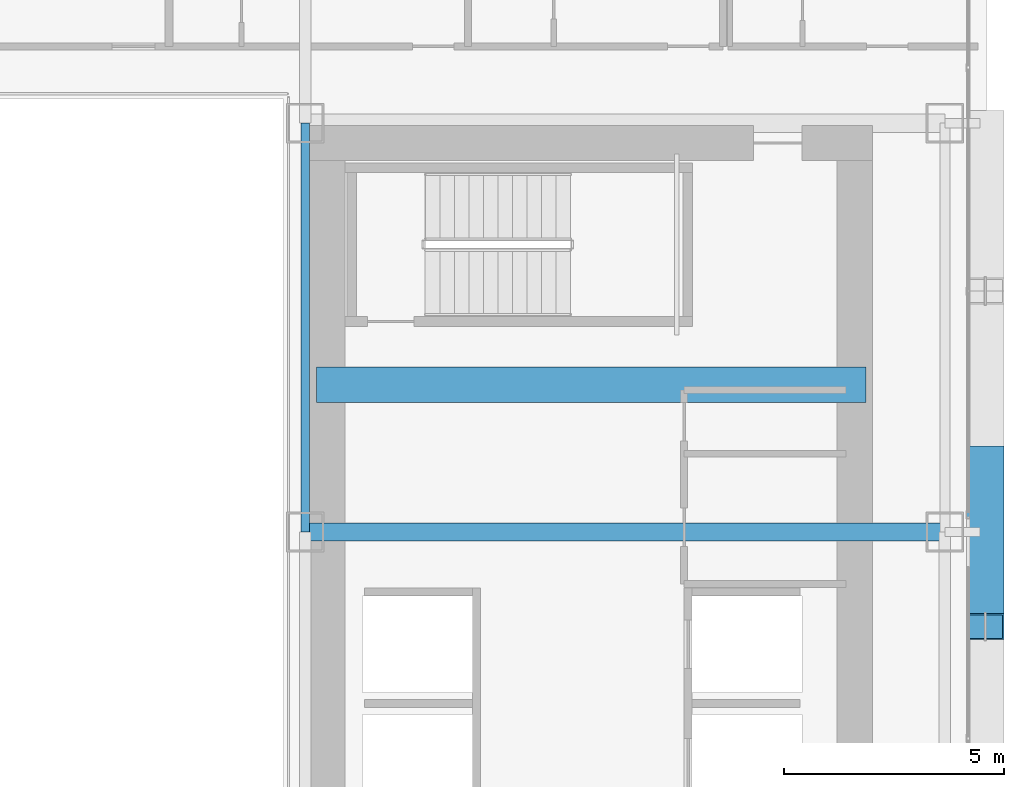
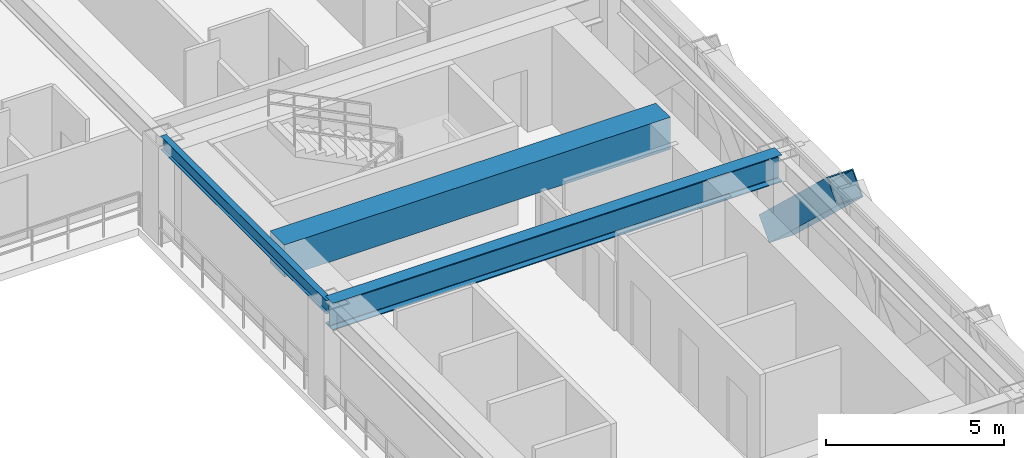
# One storey, part 14 of 35: 3 beams, 1 member.
"""IFC4 building model written with IfcOpenShell, lengths in metres."""

import ifcopenshell
import ifcopenshell.guid

model = None  # the IFC model being written
_history = None  # IfcOwnerHistory: only IFC2X3 demands one
_inside = {}  # id of a spatial element -> (the spatial element, [elements in it])
_under = {}  # id of a project, library or spatial element -> (it, [spatial elements below it])
_declared = {}  # id of a project -> (the project, [libraries it declares])
_typed = {}  # id of a type object -> (the type object, [elements of that type])
_made_of = {}  # id of a material, layer set ... -> (it, [elements and type objects made of it])


def new_model(schema):
    """Start an empty IFC model of exactly this schema.

    Asked for "IFC4X3", IfcOpenShell would pick the latest addendum, in which some entities
    have other attributes; the version numbers below select the first issue.
    IFC2X3 requires an IfcOwnerHistory on every rooted entity: one is made here for all.
    """
    global model, _history
    if schema == "IFC4X3":
        model = ifcopenshell.file(schema_version=(4, 3, 0, 0))
    else:
        model = ifcopenshell.file(schema=schema)
    _inside.clear()
    _under.clear()
    _declared.clear()
    _typed.clear()
    _made_of.clear()
    _history = None
    if model.schema == "IFC2X3":
        org = make("IfcOrganization", Name="unknown")
        user = make(
            "IfcPersonAndOrganization",
            ThePerson=make("IfcPerson", FamilyName="unknown"),
            TheOrganization=org,
        )
        app = make(
            "IfcApplication",
            ApplicationDeveloper=org,
            Version="unknown",
            ApplicationFullName="unknown",
            ApplicationIdentifier="unknown",
        )
        _history = make(
            "IfcOwnerHistory",
            OwningUser=user,
            OwningApplication=app,
            ChangeAction="ADDED",
            CreationDate=0,
        )
    return model


def make(cls, **values):
    """One entity of the class cls with the attributes given. An attribute that is None is left unset."""
    return model.create_entity(
        cls, **{name: value for name, value in values.items() if value is not None}
    )


def rooted(cls, **values):
    """An entity with a GlobalId (a new one), such as an element, a storey or a relation."""
    return make(cls, GlobalId=ifcopenshell.guid.new(), OwnerHistory=_history, **values)


def si_unit(unit_type, name, prefix=None):
    """IfcSIUnit, for example si_unit("LENGTHUNIT", "METRE", prefix="MILLI")."""
    return make("IfcSIUnit", UnitType=unit_type, Prefix=prefix, Name=name)


def assignment(units):
    """IfcUnitAssignment: the units of a project."""
    return None if units is None else make("IfcUnitAssignment", Units=units)


def point(xyz):
    """IfcCartesianPoint."""
    return None if xyz is None else make("IfcCartesianPoint", Coordinates=xyz)


def direction(xyz):
    """IfcDirection."""
    return None if xyz is None else make("IfcDirection", DirectionRatios=xyz)


def frame(location, z_axis=None, x_axis=None):
    """IfcAxis2Placement3D, a coordinate frame: its origin and axes. An axis left out is left unset."""
    return make(
        "IfcAxis2Placement3D",
        Location=point(location),
        Axis=direction(z_axis),
        RefDirection=direction(x_axis),
    )


def frame_2d(location, x_axis=None):
    """IfcAxis2Placement2D, a coordinate frame in the plane: its origin and x axis."""
    return make(
        "IfcAxis2Placement2D", Location=point(location), RefDirection=direction(x_axis)
    )


def origin():
    """The frame at (0, 0, 0) with its axes left unset."""
    return frame((0.0, 0.0, 0.0))


def origin_2d():
    """The frame at (0, 0) in the plane with its x axis left unset."""
    return frame_2d((0.0, 0.0))


def place(relative_to, where):
    """IfcLocalPlacement: puts the frame where relative to a parent placement (None: the world)."""
    return make(
        "IfcLocalPlacement", PlacementRelTo=relative_to, RelativePlacement=where
    )


def context(
    kind, dimensions, precision=None, world=None, true_north=None, identifier=None
):
    """IfcGeometricRepresentationContext, for example the 3D "Model" context."""
    return make(
        "IfcGeometricRepresentationContext",
        ContextIdentifier=identifier,
        ContextType=kind,
        CoordinateSpaceDimension=dimensions,
        Precision=precision,
        WorldCoordinateSystem=world,
        TrueNorth=true_north,
    )


def subcontext(parent, identifier, kind, view, scale=None):
    """IfcGeometricRepresentationSubContext, for example "Body" below "Model"."""
    return make(
        "IfcGeometricRepresentationSubContext",
        ContextIdentifier=identifier,
        ContextType=kind,
        ParentContext=parent,
        TargetScale=scale,
        TargetView=view,
    )


def project(units=None, contexts=None):
    """IfcProject with its units and contexts."""
    return rooted(
        "IfcProject",
        Name="project",
        RepresentationContexts=contexts,
        UnitsInContext=assignment(units),
    )


def spatial(cls, under=None, at=None, **own):
    """A site, building, storey or space (cls), placed at a placement, below another one or the project."""
    s = rooted(cls, ObjectPlacement=at, **own)
    if under is not None:
        _under.setdefault(under.id(), (under, []))[1].append(s)
    return s


def profile(cls, at=None, kind="AREA", **sizes):
    """A parametric profile (cls). Its sizes go by their IFC names, for example OverallWidth=200.0."""
    return make(cls, ProfileType=kind, Position=at, **sizes)


def rectangle(**sizes):
    """IfcRectangleProfileDef."""
    return profile("IfcRectangleProfileDef", **sizes)


def hollow_rectangle(**sizes):
    """IfcRectangleHollowProfileDef."""
    return profile("IfcRectangleHollowProfileDef", **sizes)


def i_section(**sizes):
    """IfcIShapeProfileDef."""
    return profile("IfcIShapeProfileDef", **sizes)


def extrude(swept, where, along, depth):
    """IfcExtrudedAreaSolid: the profile swept, set in the frame where, extruded along a direction by depth."""
    return make(
        "IfcExtrudedAreaSolid",
        SweptArea=swept,
        Position=where,
        ExtrudedDirection=direction(along),
        Depth=depth,
    )


def shape(context_of_items, identifier, shape_type, items):
    """IfcShapeRepresentation: the items that make up one representation, for example the "Body"."""
    return make(
        "IfcShapeRepresentation",
        ContextOfItems=context_of_items,
        RepresentationIdentifier=identifier,
        RepresentationType=shape_type,
        Items=items,
    )


def source(mapping_origin, context_of_items, identifier, shape_type, items):
    """IfcRepresentationMap: a shape defined once, which mapped items show again and again."""
    return make(
        "IfcRepresentationMap",
        MappingOrigin=mapping_origin,
        MappedRepresentation=shape(context_of_items, identifier, shape_type, items),
    )


def transform(
    local_origin,
    x_axis=None,
    y_axis=None,
    z_axis=None,
    scale=None,
    scale2=None,
    scale3=None,
    uniform=True,
):
    """IfcCartesianTransformationOperator3D, or its non-uniform kind. x_axis, y_axis, z_axis: its Axis1, 2, 3."""
    if uniform:
        return make(
            "IfcCartesianTransformationOperator3D",
            Axis1=direction(x_axis),
            Axis2=direction(y_axis),
            LocalOrigin=point(local_origin),
            Scale=scale,
            Axis3=direction(z_axis),
        )
    return make(
        "IfcCartesianTransformationOperator3DnonUniform",
        Axis1=direction(x_axis),
        Axis2=direction(y_axis),
        LocalOrigin=point(local_origin),
        Scale=scale,
        Axis3=direction(z_axis),
        Scale2=scale2,
        Scale3=scale3,
    )


def mapped(mapping_source, mapping_target):
    """IfcMappedItem: shows the shape of a source again, moved by a transform."""
    return make(
        "IfcMappedItem", MappingSource=mapping_source, MappingTarget=mapping_target
    )


def material(Name=None, Category=None):
    """IfcMaterial."""
    return make("IfcMaterial", Name=Name, Category=Category)


def material_profile(
    of_material, cross_section, Name=None, Category=None, Priority=None
):
    """IfcMaterialProfile: a cross section and its material."""
    return make(
        "IfcMaterialProfile",
        Name=Name,
        Material=of_material,
        Profile=cross_section,
        Priority=Priority,
        Category=Category,
    )


def profile_set(profiles, Name=None, composite=None):
    """IfcMaterialProfileSet."""
    return make(
        "IfcMaterialProfileSet",
        Name=Name,
        MaterialProfiles=profiles,
        CompositeProfile=composite,
    )


def made_of(thing, what):
    """Note that an element or type object is made of a material, layer set ...; save() writes the relation."""
    if what is not None:
        _made_of.setdefault(what.id(), (what, []))[1].append(thing)
    return thing


def type_object(cls, material=None, **own):
    """A type object (cls), such as IfcWallType, which elements share."""
    return made_of(rooted(cls, **own), material)


def element(
    cls,
    number,
    at=None,
    inside=None,
    cuts=None,
    type_object=None,
    material=None,
    context=None,
    identifier="Body",
    shape_type=None,
    held_by="IfcProductDefinitionShape",
    body=None,
    shapes=None,
    **own,
):
    """One element of the class cls, such as IfcWall. Its Tag is "e" and its number.

    at: its placement. inside: the storey or other place that contains it. cuts: it is an
    opening in that element (IfcRelVoidsElement). A single representation is given by context,
    identifier, shape_type and body (its items); several are given by shapes. held_by: the class
    of the entity that holds the representations. save() writes the other relations.
    """
    e = rooted(cls, Tag="e%d" % number, ObjectPlacement=at, **own)
    if body is not None:
        shapes = [shape(context, identifier, shape_type, body)]
    if shapes is not None:
        e.Representation = make(held_by, Representations=shapes)
    if inside is not None:
        _inside.setdefault(inside.id(), (inside, []))[1].append(e)
    if cuts is not None:
        rooted(
            "IfcRelVoidsElement", RelatingBuildingElement=cuts, RelatedOpeningElement=e
        )
    if type_object is not None:
        _typed.setdefault(type_object.id(), (type_object, []))[1].append(e)
    return made_of(e, material)


def aggregate(whole, parts):
    """IfcRelAggregates: a whole, such as a stair, and the parts it consists of."""
    return rooted("IfcRelAggregates", RelatingObject=whole, RelatedObjects=parts)


def save(model, path):
    """Write the relations noted so far, then the file.

    IfcRelAggregates (storeys below a building ...), IfcRelContainedInSpatialStructure (elements
    in a storey), IfcRelDefinesByType, IfcRelAssociatesMaterial and IfcRelDeclares: one each for
    every whole, place, type object, material and project.
    """
    for whole, parts in _under.values():
        aggregate(whole, parts)
    for where, things in _inside.values():
        rooted(
            "IfcRelContainedInSpatialStructure",
            RelatedElements=things,
            RelatingStructure=where,
        )
    for kind, things in _typed.values():
        rooted("IfcRelDefinesByType", RelatedObjects=things, RelatingType=kind)
    for what, things in _made_of.values():
        rooted("IfcRelAssociatesMaterial", RelatedObjects=things, RelatingMaterial=what)
    for by, libraries in _declared.values():
        rooted("IfcRelDeclares", RelatingContext=by, RelatedDefinitions=libraries)
    model.write(path)


model = new_model("IFC4")

# Units and contexts
model_context = context("Model", 3, precision=1e-05, world=origin(), true_north=direction((0.0, 1.0)))
body_context = subcontext(model_context, "Body", "Model", "MODEL_VIEW")
ifc_project = project(units=[si_unit("LENGTHUNIT", "METRE"), si_unit("AREAUNIT", "SQUARE_METRE"), si_unit("VOLUMEUNIT", "CUBIC_METRE"), si_unit("PLANEANGLEUNIT", "RADIAN"), si_unit("MASSUNIT", "GRAM", prefix="KILO")], contexts=[model_context])

# Site, building, storey
site_placement = place(None, origin())
site = spatial("IfcSite", under=ifc_project, at=site_placement, CompositionType="ELEMENT")
building_placement = place(site_placement, origin())
building = spatial("IfcBuilding", under=site, at=building_placement, Name="Ocotamira Hotel", CompositionType="ELEMENT")
storey_placement = place(building_placement, frame((0.0, 0.0, 63.60009765625)))
storey = spatial("IfcBuildingStorey", under=building, at=storey_placement, Name="L15", CompositionType="ELEMENT", Elevation=63.60009765625)

# Beams
ifc_material_1 = material(Name="Concrete C60/75", Category="concrete")
ifc_material_profile_1 = material_profile(ifc_material_1, rectangle(XDim=0.800048828125, YDim=1.10009765625, at=origin_2d()), Name="RC800X1100")
ifc_profile_set_1 = profile_set([ifc_material_profile_1], Name="Concrete C60/75")
beam_type_1 = type_object("IfcBeamType", Name="BM-LINK-RC800", PredefinedType="LINTEL", material=ifc_profile_set_1)
shared_shape_1 = source(origin(), body_context, "Body", "SweptSolid", [
    extrude(rectangle(XDim=0.800048828125, YDim=1.10009765625, at=origin_2d()), origin(), (0.0, 0.0, 1.0), 12.5),
])
beam_1_placement = place(storey_placement, frame((40.75, 31.5, 2.7998046875), z_axis=(1.0, 0.0, 0.0), x_axis=(0.0, 1.0, 0.0)))
element("IfcBeam", 1, at=beam_1_placement, inside=storey, type_object=beam_type_1, Name="L15 East Core Coupling Beam", PredefinedType="LINTEL", context=body_context, shape_type="MappedRepresentation", body=[
    mapped(shared_shape_1, transform((0.0, 0.0, 0.0), scale=1.0)),
])
ifc_material_2 = material(Name="Steel ASTM A992 Grade 50", Category="steel")
ifc_material_profile_2 = material_profile(ifc_material_2, i_section(OverallWidth=0.41796875, OverallDepth=0.927001953125, WebThickness=0.019287109375, FlangeThickness=0.031982421875, FilletRadius=0.02392578125, at=origin_2d()), Name="W36X231")
ifc_profile_set_2 = profile_set([ifc_material_profile_2], Name="Steel ASTM A992 Grade 50")
beam_type_2 = type_object("IfcBeamType", Name="BM-GIRD-W36X231", PredefinedType="BEAM", material=ifc_profile_set_2)
shared_shape_2 = source(origin(), body_context, "Body", "SweptSolid", [
    extrude(i_section(OverallWidth=0.41796875, OverallDepth=0.927001953125, WebThickness=0.019287109375, FlangeThickness=0.031982421875, FilletRadius=0.02392578125, at=origin_2d()), origin(), (0.0, 0.0, 1.0), 14.550048828125),
])
beam_2_placement = place(storey_placement, frame((40.5, 28.14990234375, 2.886474609375), z_axis=(1.0, 0.0, 0.0), x_axis=(0.0, 1.0, 0.0)))
element("IfcBeam", 2, at=beam_2_placement, inside=storey, type_object=beam_type_2, Name="L15 Girder Y28.15 X40.5-55.05", PredefinedType="BEAM", context=body_context, shape_type="MappedRepresentation", body=[
    mapped(shared_shape_2, transform((0.0, 0.0, 0.0), scale=1.0)),
])
ifc_material_profile_3 = material_profile(ifc_material_2, i_section(OverallWidth=0.18994140625, OverallDepth=0.45703125, WebThickness=0.009033203125, FlangeThickness=0.014404296875, FilletRadius=0.010009765625, at=origin_2d()), Name="W18X50")
ifc_profile_set_3 = profile_set([ifc_material_profile_3], Name="Steel ASTM A992 Grade 50")
beam_type_3 = type_object("IfcBeamType", Name="BM-SEC-W18X50", PredefinedType="JOIST", material=ifc_profile_set_3)
shared_shape_3 = source(origin(), body_context, "Body", "SweptSolid", [
    extrude(i_section(OverallWidth=0.18994140625, OverallDepth=0.45703125, WebThickness=0.009033203125, FlangeThickness=0.014404296875, FilletRadius=0.010009765625, at=origin_2d()), origin(), (0.0, 0.0, 1.0), 9.300048828125),
])
beam_3_placement = place(storey_placement, frame((40.5, 28.14990234375, 3.121337890625), z_axis=(0.0, 1.0, 0.0), x_axis=(-1.0, 0.0, 0.0)))
element("IfcBeam", 3, at=beam_3_placement, inside=storey, type_object=beam_type_3, Name="L15 Beam X40.5 Y28.15-37.45", PredefinedType="JOIST", context=body_context, shape_type="MappedRepresentation", body=[
    mapped(shared_shape_3, transform((0.0, 0.0, 0.0), scale=1.0)),
])

# Member
ifc_material_3 = material(Name="Pale-metal coated steel ASTM A913 Grade 65", Category="steel")
ifc_material_profile_4 = material_profile(ifc_material_3, hollow_rectangle(XDim=0.85009765625, YDim=0.85009765625, WallThickness=0.035888671875, at=origin_2d()), Name="BOX850X850X36")
ifc_profile_set_4 = profile_set([ifc_material_profile_4], Name="Pale-metal coated steel ASTM A913 Grade 65")
member_type = type_object("IfcMemberType", Name="MEM-EXO-BOX850", PredefinedType="BRACE", material=ifc_profile_set_4)
shared_shape_4 = source(origin(), body_context, "Body", "SweptSolid", [
    extrude(hollow_rectangle(XDim=0.85009765625, YDim=0.85009765625, WallThickness=0.035888671875, at=origin_2d()), origin(), (0.0, 0.0, 1.0), 5.24658203125),
])
member_placement = place(storey_placement, frame((55.969970703125, 29.816650390625, -0.5), z_axis=(0.0, -0.72746596067, 0.686143772154), x_axis=(1.0, 0.0, 0.0)))
element("IfcMember", 4, at=member_placement, inside=storey, type_object=member_type, Name="L15 Exoskeleton Diagrid E1.2", PredefinedType="BRACE", context=body_context, shape_type="MappedRepresentation", body=[
    mapped(shared_shape_4, transform((0.0, 0.0, 0.0), scale=1.0)),
])

save(model, "model.ifc")
